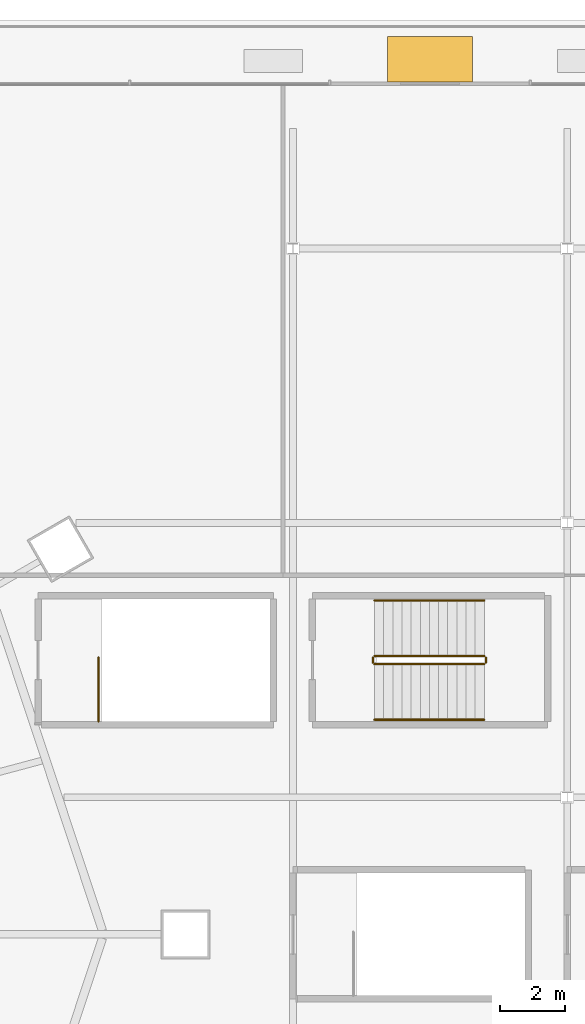
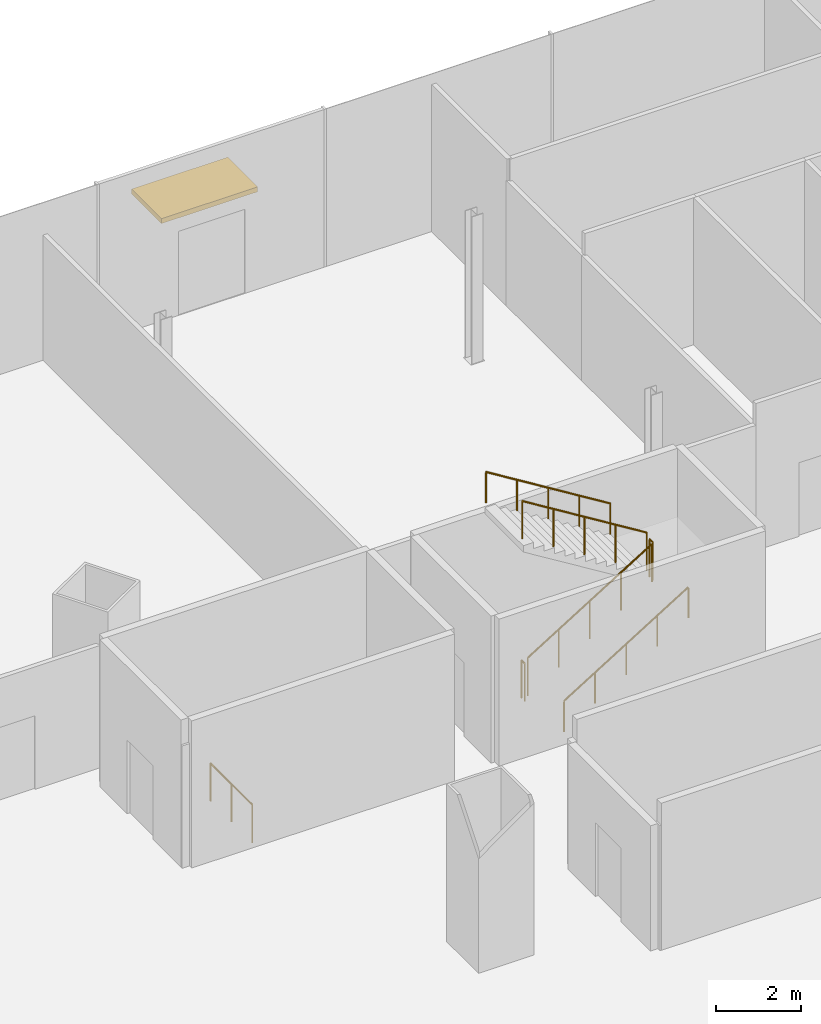
# One storey, part 43 of 49: 7 railings, 1 shading device.
"""IFC4 building model written with IfcOpenShell, lengths in metres."""

from ifc_helpers import new_model, si_unit, direction, frame, origin, origin_2d, place, context, subcontext, project, spatial, rectangle, circle, extrude, material, layer, layer_set, type_object, element, save


model = new_model("IFC4")

# Units and contexts
model_context = context("Model", 3, precision=1e-05, world=origin(), true_north=direction((0.0, 1.0)))
body_context = subcontext(model_context, "Body", "Model", "MODEL_VIEW")
ifc_project = project(units=[si_unit("LENGTHUNIT", "METRE"), si_unit("AREAUNIT", "SQUARE_METRE"), si_unit("VOLUMEUNIT", "CUBIC_METRE"), si_unit("PLANEANGLEUNIT", "RADIAN"), si_unit("MASSUNIT", "GRAM", prefix="KILO")], contexts=[model_context])

# Site, building, storey
site_placement = place(None, origin())
site = spatial("IfcSite", under=ifc_project, at=site_placement, CompositionType="ELEMENT")
building_placement = place(site_placement, origin())
building = spatial("IfcBuilding", under=site, at=building_placement, Name="Rimbun Link Towers", CompositionType="ELEMENT")
storey_placement = place(building_placement, frame((0.0, 0.0, 25.5)))
storey = spatial("IfcBuildingStorey", under=building, at=storey_placement, Name="L05", CompositionType="ELEMENT", Elevation=25.5)

# Shading device
ifc_material_1 = material(Name="Aluminium 6063-T6 louvre blades in a powder-coated aluminium frame", Category="aluminium")
ifc_layer = layer(ifc_material_1, 0.139892578125)
ifc_layer_set = layer_set([ifc_layer], Name="RAIN CANOPY louvre blades 2600X1400")
shading_device_type = type_object("IfcShadingDeviceType", Name="RAIN CANOPY louvre blades 2600X1400", PredefinedType="AWNING", material=ifc_layer_set)
shading_device_placement = place(storey_placement, frame((0.0, 26.800048828125, 2.7001953125), z_axis=(0.0, 0.0, 1.0), x_axis=(1.0, 0.0, 0.0)))
element("IfcShadingDevice", 1, at=shading_device_placement, inside=storey, type_object=shading_device_type, Name="RAIN CANOPY over terrace door", PredefinedType="AWNING", context=body_context, shape_type="SweptSolid", body=[
    extrude(rectangle(XDim=2.60009765625, YDim=1.39990234375, at=origin_2d()), origin(), (0.0, 0.0, 1.0), 0.139892578125),
])

# Railings
ifc_material_2 = material(Name="Stainless steel grade 316", Category="steel")
railing_type_1 = type_object("IfcRailingType", Name="Stair guard", PredefinedType="GUARDRAIL", material=ifc_material_2)
railing_1_placement = place(storey_placement, frame((-10.14990234375, 6.52490234375, 0.0)))
element("IfcRailing", 2, at=railing_1_placement, inside=storey, type_object=railing_type_1, Name="L05 PS3 top well guard 1", PredefinedType="GUARDRAIL", context=body_context, shape_type="SweptSolid", body=[
    extrude(circle(Radius=0.02392578125, at=origin_2d()), frame((0.0, 0.0, 1.076171875), z_axis=(0.0, 1.0, 0.0), x_axis=(-1.0, 0.0, 0.0)), (0.0, 0.0, 1.0), 1.9501953125),
    extrude(circle(Radius=0.02099609375, at=origin_2d()), origin(), (0.0, 0.0, 1.0), 1.052001953125),
    extrude(circle(Radius=0.02099609375, at=origin_2d()), frame((0.0, 0.97509765625, 0.0)), (0.0, 0.0, 1.0), 1.052001953125),
    extrude(circle(Radius=0.02099609375, at=origin_2d()), frame((0.0, 1.9501953125, 0.0)), (0.0, 0.0, 1.0), 1.052001953125),
])
railing_2_placement = place(storey_placement, frame((-1.699951171875, 8.27490234375, 0.173095703125)))
element("IfcRailing", 3, at=railing_2_placement, inside=storey, type_object=railing_type_1, Name="L05 PS4 stair guard 1", PredefinedType="GUARDRAIL", context=body_context, shape_type="SweptSolid", body=[
    extrude(circle(Radius=0.02392578125, at=origin_2d()), frame((0.0, 0.0, 1.076171875), z_axis=(0.850606129759, 0.0, 0.525803396734), x_axis=(0.0, 1.0, 0.0)), (0.0, 0.0, 1.0), 3.949951171875),
    extrude(circle(Radius=0.02099609375, at=origin_2d()), origin(), (0.0, 0.0, 1.0), 1.052001953125),
    extrude(circle(Radius=0.02099609375, at=origin_2d()), frame((0.83984375, 0.0, 0.519287109375)), (0.0, 0.0, 1.0), 1.052001953125),
    extrude(circle(Radius=0.02099609375, at=origin_2d()), frame((1.679931640625, 0.0, 1.03857421875)), (0.0, 0.0, 1.0), 1.052001953125),
    extrude(circle(Radius=0.02099609375, at=origin_2d()), frame((2.52001953125, 0.0, 1.5576171875)), (0.0, 0.0, 1.0), 1.052001953125),
    extrude(circle(Radius=0.02099609375, at=origin_2d()), frame((3.35986328125, 0.0, 2.076904296875)), (0.0, 0.0, 1.0), 1.052001953125),
])
railing_3_placement = place(storey_placement, frame((1.7099609375, 8.324951171875, 2.25)))
element("IfcRailing", 4, at=railing_3_placement, inside=storey, type_object=railing_type_1, Name="L05 PS4 stair guard 2", PredefinedType="GUARDRAIL", context=body_context, shape_type="SweptSolid", body=[
    extrude(circle(Radius=0.02392578125, at=origin_2d()), frame((0.0, 0.0, 1.076171875), z_axis=(0.0, 1.0, 0.0), x_axis=(-1.0, 0.0, 0.0)), (0.0, 0.0, 1.0), 0.150146484375),
    extrude(circle(Radius=0.02099609375, at=origin_2d()), origin(), (0.0, 0.0, 1.0), 1.052001953125),
    extrude(circle(Radius=0.02099609375, at=origin_2d()), frame((0.0, 0.150146484375, 0.0)), (0.0, 0.0, 1.0), 1.052001953125),
])
railing_4_placement = place(storey_placement, frame((1.659912109375, 8.52490234375, 2.423095703125)))
element("IfcRailing", 5, at=railing_4_placement, inside=storey, type_object=railing_type_1, Name="L05 PS4 stair guard 3", PredefinedType="GUARDRAIL", context=body_context, shape_type="SweptSolid", body=[
    extrude(circle(Radius=0.02392578125, at=origin_2d()), frame((0.0, 0.0, 1.076171875), z_axis=(-0.850606129759, 0.0, 0.525803396734), x_axis=(0.0, -1.0, 0.0)), (0.0, 0.0, 1.0), 3.949951171875),
    extrude(circle(Radius=0.02099609375, at=origin_2d()), origin(), (0.0, 0.0, 1.0), 1.052001953125),
    extrude(circle(Radius=0.02099609375, at=origin_2d()), frame((-0.83984375, 0.0, 0.519287109375)), (0.0, 0.0, 1.0), 1.052001953125),
    extrude(circle(Radius=0.02099609375, at=origin_2d()), frame((-1.679931640625, 0.0, 1.03857421875)), (0.0, 0.0, 1.0), 1.052001953125),
    extrude(circle(Radius=0.02099609375, at=origin_2d()), frame((-2.52001953125, 0.0, 1.5576171875)), (0.0, 0.0, 1.0), 1.052001953125),
    extrude(circle(Radius=0.02099609375, at=origin_2d()), frame((-3.35986328125, 0.0, 2.076904296875)), (0.0, 0.0, 1.0), 1.052001953125),
])
railing_5_placement = place(storey_placement, frame((-1.75, 8.324951171875, 0.0)))
element("IfcRailing", 6, at=railing_5_placement, inside=storey, type_object=railing_type_1, Name="L05 PS4 stair guard 4", PredefinedType="GUARDRAIL", context=body_context, shape_type="SweptSolid", body=[
    extrude(circle(Radius=0.02392578125, at=origin_2d()), frame((0.0, 0.0, 1.076171875), z_axis=(0.0, 1.0, 0.0), x_axis=(-1.0, 0.0, 0.0)), (0.0, 0.0, 1.0), 0.150146484375),
    extrude(circle(Radius=0.02099609375, at=origin_2d()), origin(), (0.0, 0.0, 1.0), 1.052001953125),
    extrude(circle(Radius=0.02099609375, at=origin_2d()), frame((0.0, 0.150146484375, 0.0)), (0.0, 0.0, 1.0), 1.052001953125),
])
ifc_material_3 = material(Name="Stainless steel grade 316", Category="steel")
railing_type_2 = type_object("IfcRailingType", Name="Stair handrail", PredefinedType="HANDRAIL", material=ifc_material_3)
railing_6_placement = place(storey_placement, frame((-1.699951171875, 6.574951171875, 0.173095703125)))
element("IfcRailing", 7, at=railing_6_placement, inside=storey, type_object=railing_type_2, Name="L05 PS4 stair handrail 1", PredefinedType="HANDRAIL", context=body_context, shape_type="SweptSolid", body=[
    extrude(circle(Radius=0.02392578125, at=origin_2d()), frame((0.0, 0.0, 0.8759765625), z_axis=(0.850606129759, 0.0, 0.525803396734), x_axis=(0.0, 1.0, 0.0)), (0.0, 0.0, 1.0), 3.949951171875),
    extrude(circle(Radius=0.02099609375, at=origin_2d()), origin(), (0.0, 0.0, 1.0), 0.851806640625),
    extrude(circle(Radius=0.02099609375, at=origin_2d()), frame((0.83984375, 0.0, 0.519287109375)), (0.0, 0.0, 1.0), 0.851806640625),
    extrude(circle(Radius=0.02099609375, at=origin_2d()), frame((1.679931640625, 0.0, 1.03857421875)), (0.0, 0.0, 1.0), 0.851806640625),
    extrude(circle(Radius=0.02099609375, at=origin_2d()), frame((2.52001953125, 0.0, 1.5576171875)), (0.0, 0.0, 1.0), 0.851806640625),
    extrude(circle(Radius=0.02099609375, at=origin_2d()), frame((3.35986328125, 0.0, 2.076904296875)), (0.0, 0.0, 1.0), 0.851806640625),
])
railing_7_placement = place(storey_placement, frame((1.659912109375, 10.22509765625, 2.423095703125)))
element("IfcRailing", 8, at=railing_7_placement, inside=storey, type_object=railing_type_2, Name="L05 PS4 stair handrail 2", PredefinedType="HANDRAIL", context=body_context, shape_type="SweptSolid", body=[
    extrude(circle(Radius=0.02392578125, at=origin_2d()), frame((0.0, 0.0, 0.8759765625), z_axis=(-0.850606129759, 0.0, 0.525803396734), x_axis=(0.0, -1.0, 0.0)), (0.0, 0.0, 1.0), 3.949951171875),
    extrude(circle(Radius=0.02099609375, at=origin_2d()), origin(), (0.0, 0.0, 1.0), 0.851806640625),
    extrude(circle(Radius=0.02099609375, at=origin_2d()), frame((-0.83984375, 0.0, 0.519287109375)), (0.0, 0.0, 1.0), 0.851806640625),
    extrude(circle(Radius=0.02099609375, at=origin_2d()), frame((-1.679931640625, 0.0, 1.03857421875)), (0.0, 0.0, 1.0), 0.851806640625),
    extrude(circle(Radius=0.02099609375, at=origin_2d()), frame((-2.52001953125, 0.0, 1.5576171875)), (0.0, 0.0, 1.0), 0.851806640625),
    extrude(circle(Radius=0.02099609375, at=origin_2d()), frame((-3.35986328125, 0.0, 2.076904296875)), (0.0, 0.0, 1.0), 0.851806640625),
])

save(model, "model.ifc")
